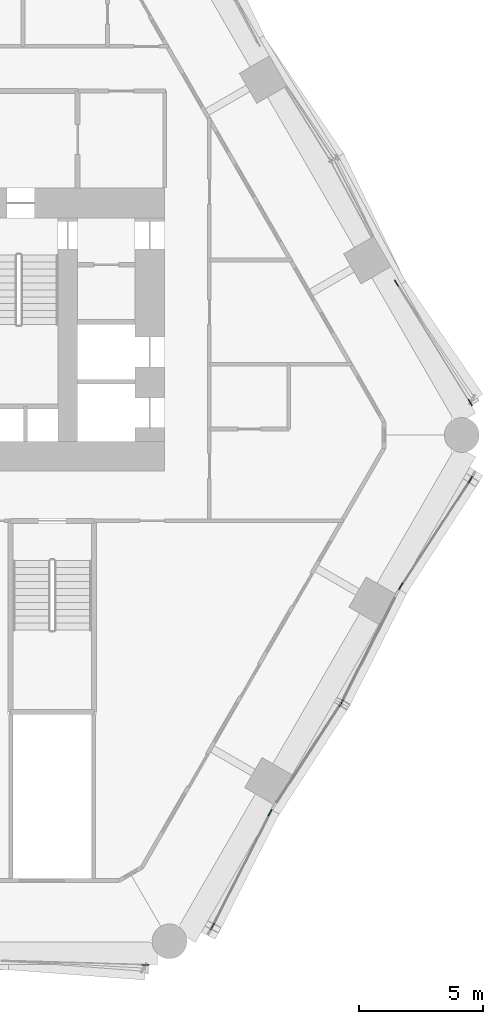
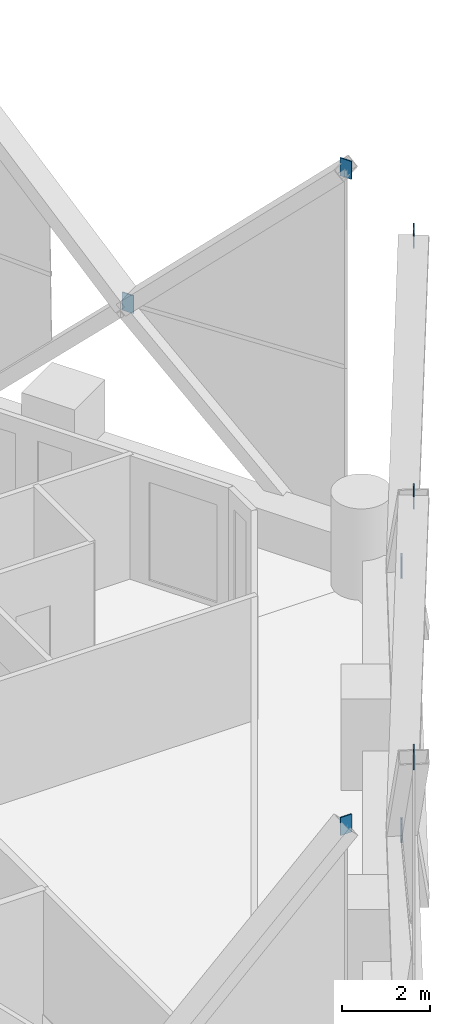
# One storey, part 19 of 22: 8 discrete accessories.
"""IFC4 building model written with IfcOpenShell, lengths in metres."""

from ifc_helpers import new_model, si_unit, direction, frame, origin, origin_2d, place, context, subcontext, project, spatial, rectangle, extrude, material, layer, layer_set, type_object, element, save


model = new_model("IFC4")

# Units and contexts
model_context = context("Model", 3, precision=1e-05, world=origin(), true_north=direction((0.0, 1.0)))
body_context = subcontext(model_context, "Body", "Model", "MODEL_VIEW")
ifc_project = project(units=[si_unit("LENGTHUNIT", "METRE"), si_unit("AREAUNIT", "SQUARE_METRE"), si_unit("VOLUMEUNIT", "CUBIC_METRE"), si_unit("PLANEANGLEUNIT", "RADIAN"), si_unit("MASSUNIT", "GRAM", prefix="KILO")], contexts=[model_context])

# Site, building, storey
site_placement = place(None, origin())
site = spatial("IfcSite", under=ifc_project, at=site_placement, CompositionType="ELEMENT")
building_placement = place(site_placement, origin())
building = spatial("IfcBuilding", under=site, at=building_placement, Name="Ostrander Bayou Hotel Tower", CompositionType="ELEMENT")
storey_placement = place(building_placement, frame((0.0, 0.0, 46.75)))
storey = spatial("IfcBuildingStorey", under=building, at=storey_placement, Name="L11", CompositionType="ELEMENT", Elevation=46.75)

# Discrete accessories
ifc_material = material(Name="Steel ASTM A572 Gr 50", Category="steel")
ifc_layer = layer(ifc_material, 0.030029296875)
ifc_layer_set = layer_set([ifc_layer], Name="GP1 gusset plate 30 mm")
discrete_accessory_type = type_object("IfcDiscreteAccessoryType", Name="GP1 gusset plate 30 mm", PredefinedType="BRACKET", material=ifc_layer_set)
for number, where, z_axis, x_axis, name in (
    (1, (11.23388671875, -21.5791015625, 10.39990234375), (0.0, 0.0, 1.0), (1.0, 0.0, 0.0), "GP1 gusset plate lat 105"),
    (2, (16.23974609375, -15.452880859375, 4.77490234375), (0.0, 0.0, 1.0), (0.5, 0.866025403784, 0.0), "GP1 gusset plate lat 106"),
    (3, (13.92138671875, -20.027587890625, 10.39990234375), (0.0, 0.0, 1.0), (0.5, 0.866025403784, 0.0), "GP1 gusset plate lat 107"),
    (4, (19.11328125, -11.034912109375, 10.39990234375), (0.0, 0.0, 1.0), (0.5, 0.866025403784, 0.0), "GP1 gusset plate lat 108"),
    (5, (21.50244140625, -6.337646484375, 4.77490234375), (0.0, 0.0, 1.0), (0.5, 0.866025403784, 0.0), "GP1 gusset plate lat 109"),
    (6, (24.304931640625, -2.04248046875, 10.39990234375), (0.0, 0.0, 1.0), (0.5, 0.866025403784, 0.0), "GP1 gusset plate lat 110"),
    (7, (21.33349609375, 5.871826171875, 4.77490234375), (0.0, 0.0, 1.0), (-0.5, 0.866025403784, 0.0), "GP1 gusset plate lat 111"),
    (8, (24.304931640625, 1.060546875, 10.39990234375), (0.0, 0.0, 1.0), (-0.5, 0.866025403784, 0.0), "GP1 gusset plate lat 112"),
):
    element("IfcDiscreteAccessory", number, at=place(storey_placement, frame(where, z_axis=z_axis, x_axis=x_axis)), inside=storey, type_object=discrete_accessory_type, Name=name, PredefinedType="BRACKET", context=body_context, shape_type="SweptSolid", body=[
        extrude(rectangle(XDim=0.300048828125, YDim=0.030029296875, at=origin_2d()), origin(), (0.0, 0.0, 1.0), 0.5),
    ])

save(model, "model.ifc")
